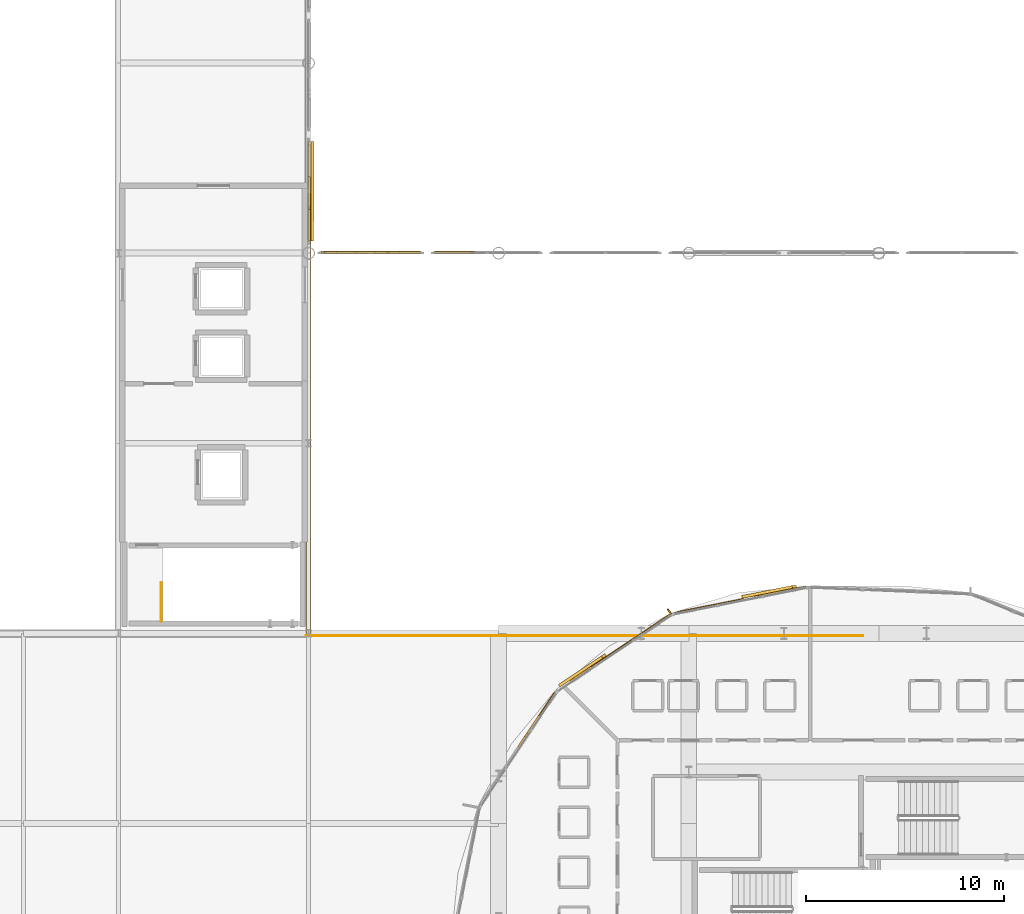
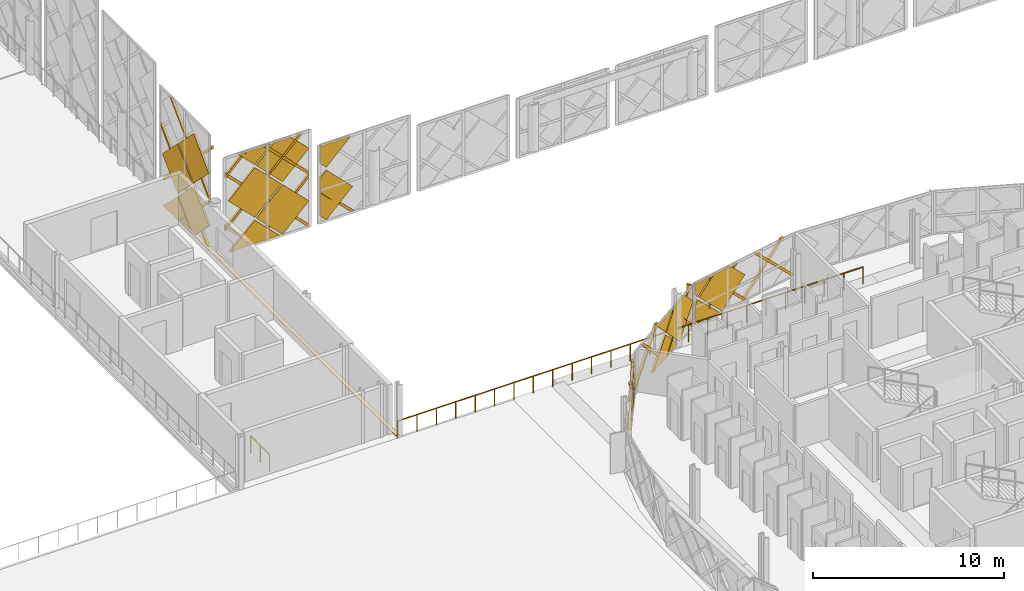
# One storey, part 45 of 53: 40 coverings, 2 railings, 1 shading device.
"""IFC4 building model written with IfcOpenShell, lengths in metres."""

from ifc_helpers import new_model, si_unit, direction, frame, origin, origin_2d, place, context, subcontext, project, spatial, polyline, rectangle, circle, outline, extrude, material, layer, layer_set, type_object, element, save


model = new_model("IFC4")

# Units and contexts
model_context = context("Model", 3, precision=1e-05, world=origin(), true_north=direction((0.0, 1.0)))
body_context = subcontext(model_context, "Body", "Model", "MODEL_VIEW")
ifc_project = project(units=[si_unit("LENGTHUNIT", "METRE"), si_unit("AREAUNIT", "SQUARE_METRE"), si_unit("VOLUMEUNIT", "CUBIC_METRE"), si_unit("PLANEANGLEUNIT", "RADIAN"), si_unit("MASSUNIT", "GRAM", prefix="KILO")], contexts=[model_context])

# Site, building, storey
site_placement = place(None, origin())
site = spatial("IfcSite", under=ifc_project, at=site_placement, CompositionType="ELEMENT")
building_placement = place(site_placement, origin())
building = spatial("IfcBuilding", under=site, at=building_placement, Name="Zevrakil Square Congress Hotel", CompositionType="ELEMENT")
storey_placement = place(building_placement, frame((0.0, 0.0, 14.699951171875)))
storey = spatial("IfcBuildingStorey", under=building, at=storey_placement, Name="L04", CompositionType="ELEMENT", Elevation=14.699951171875)

# Coverings
ifc_material_1 = material(Name="Architectural White Fibre-C GRC", Category="concrete")
ifc_layer_1 = layer(ifc_material_1, 0.06494140625)
ifc_layer_set_1 = layer_set([ifc_layer_1], Name="Architectural White Fibre-C GRC")
covering_type_1 = type_object("IfcCoveringType", Name="COV-DIA-WHITE", PredefinedType="CLADDING", material=ifc_layer_set_1)
covering_1_placement = place(storey_placement, frame((117.694091796875, 68.679931640625, 1.330078125), z_axis=(0.999999790873, 0.0, 0.000646725815), x_axis=(0.000457304257, 0.707106707249, -0.707106707249)))
element("IfcCovering", 1, at=covering_1_placement, inside=storey, type_object=covering_type_1, Name="L04 45-degree white GRC diamond facade cassette 1165", PredefinedType="CLADDING", context=body_context, shape_type="SweptSolid", body=[
    extrude(outline(polyline([(0.0, 0.0), (2.1354765131557993, 0.0), (4.465861884739297e-07, -2.1354765131557527), (0.0, 0.0)])), origin(), (0.0, 0.0, -1.0), 0.1201171875),
])
covering_2_placement = place(storey_placement, frame((117.693115234375, 67.0, 3.010009765625), z_axis=(0.999999856477, 2.18091e-07, 0.000535767289), x_axis=(0.000378661405, 0.70716100192, -0.707052454899)))
element("IfcCovering", 2, at=covering_2_placement, inside=storey, type_object=covering_type_1, Name="L04 45-degree white GRC diamond facade cassette 1166", PredefinedType="CLADDING", context=body_context, shape_type="SweptSolid", body=[
    extrude(outline(polyline([(0.0, 0.0), (2.2485514420054766, 2.220446049250313e-16), (2.2483791200414514, -2.248723969768042), (0.013811095500841475, -2.2485525000985067), (-0.00017114298715226184, -2.234568117059487), (0.0, 0.0)])), origin(), (0.0, 0.0, -1.0), 0.1201171875),
])
covering_3_placement = place(storey_placement, frame((117.69189453125, 68.679931640625, 4.68994140625), z_axis=(0.999999811377, 0.0, 0.000614203339), x_axis=(0.000434274062, 0.707160967493, -0.707052457361)))
element("IfcCovering", 3, at=covering_3_placement, inside=storey, type_object=covering_type_1, Name="L04 45-degree white GRC diamond facade cassette 1167", PredefinedType="CLADDING", context=body_context, shape_type="SweptSolid", body=[
    extrude(outline(polyline([(0.0, 0.0), (2.248551551510707, 2.220446049250313e-16), (2.248379328934688, -2.248723959707921), (-0.00017198403640539262, -2.2483789048388836), (0.0, 0.0)])), origin(), (0.0, 0.0, -1.0), 0.1201171875),
])
covering_4_placement = place(storey_placement, frame((117.69091796875, 67.0, 6.3701171875), z_axis=(0.999999812584, 0.0, 0.000612235231), x_axis=(0.000432915724, 0.707106714509, -0.707106715341)))
element("IfcCovering", 4, at=covering_4_placement, inside=storey, type_object=covering_type_1, Name="L04 45-degree white GRC diamond facade cassette 1168", PredefinedType="CLADDING", context=body_context, shape_type="SweptSolid", body=[
    extrude(outline(polyline([(0.0, 0.0), (2.2487240723329105, -2.220446049250313e-16), (2.2487244964245092, -2.248724072332871), (0.014156369068123897, -2.2487240696714954), (4.240832742752332e-07, -2.2345681273563454), (0.0, 0.0)])), origin(), (0.0, 0.0, -1.0), 0.1201171875),
])
covering_5_placement = place(storey_placement, frame((119.989990234375, 64.89404296875, 1.330078125), z_axis=(0.0, 0.999999790873, 0.000646725815), x_axis=(-0.707106707249, 0.000457304257, -0.707106707249)))
element("IfcCovering", 5, at=covering_5_placement, inside=storey, type_object=covering_type_1, Name="L04 45-degree white GRC diamond facade cassette 1379", PredefinedType="CLADDING", context=body_context, shape_type="SweptSolid", body=[
    extrude(outline(polyline([(0.0, 0.0), (2.1354765131557993, 0.0), (4.465861884739297e-07, -2.1354765131557527), (0.0, 0.0)])), origin(), (0.0, 0.0, -1.0), 0.1201171875),
])
covering_6_placement = place(storey_placement, frame((121.669921875, 64.89306640625, 3.010009765625), z_axis=(2.3579e-08, 0.999999812541, 0.0006123053), x_axis=(-0.707106714489, 0.000432981944, -0.707106715321)))
element("IfcCovering", 6, at=covering_6_placement, inside=storey, type_object=covering_type_1, Name="L04 45-degree white GRC diamond facade cassette 1380", PredefinedType="CLADDING", context=body_context, shape_type="SweptSolid", body=[
    extrude(outline(polyline([(0.0, 0.0), (2.248378805382471, -2.220446049250313e-16), (2.248551863014511, -2.248551438825186), (0.01398373565752209, -2.2485514362281265), (4.241484949929486e-07, -2.2345681273566456), (0.0, 0.0)])), origin(), (0.0, 0.0, -1.0), 0.1201171875),
])
covering_7_placement = place(storey_placement, frame((119.989990234375, 64.89208984375, 4.68994140625), z_axis=(0.0, 0.999999855586, 0.000537427945), x_axis=(-0.707161001881, 0.000379989803, -0.707052454226)))
element("IfcCovering", 7, at=covering_7_placement, inside=storey, type_object=covering_type_1, Name="L04 45-degree white GRC diamond facade cassette 1381", PredefinedType="CLADDING", context=body_context, shape_type="SweptSolid", body=[
    extrude(outline(polyline([(0.0, 0.0), (2.2485514421697053, 2.220446049250313e-16), (2.2483791201710894, -2.248723969644624), (-0.0003448494557509729, -2.2485514157257587), (0.0, 0.0)])), origin(), (0.0, 0.0, -1.0), 0.1201171875),
])
covering_8_placement = place(storey_placement, frame((120.080078125, 64.89208984375, 4.780029296875), z_axis=(0.0, 0.999999842103, 0.000561955119), x_axis=(0.70705245498, 0.000397392802, -0.707160991561)))
element("IfcCovering", 8, at=covering_8_placement, inside=storey, type_object=covering_type_1, Name="L04 45-degree white GRC diamond facade cassette 1382", PredefinedType="CLADDING", context=body_context, shape_type="SweptSolid", body=[
    extrude(outline(polyline([(0.0, 0.0), (2.248551346935006, -2.220446049250313e-16), (2.2483795595996554, -2.234568022002061), (2.234222528030325, -2.2487228784849247), (0.7209171744248163, -2.2486067889930266), (-0.0002901392735069619, -1.5272886519692042), (0.0, 0.0)])), origin(), (0.0, 0.0, -1.0), 0.1201171875),
])
covering_9_placement = place(storey_placement, frame((119.989990234375, 64.891845703125, 4.8701171875), z_axis=(0.0, 0.999999878368, 0.000493218189), x_axis=(0.707106738183, -0.000348757947, 0.707106738183)))
element("IfcCovering", 9, at=covering_9_placement, inside=storey, type_object=covering_type_1, Name="L04 45-degree white GRC diamond facade cassette 1383", PredefinedType="CLADDING", context=body_context, shape_type="SweptSolid", body=[
    extrude(outline(polyline([(0.0, 0.0), (1.40005770121603, 0.0), (1.7029196641704658e-07, -1.4000577012160196), (0.0, 0.0)])), origin(), (0.0, 0.0, -1.0), 0.1201171875),
])
covering_10_placement = place(storey_placement, frame((124.31005859375, 64.89501953125, -0.169921875), z_axis=(-3.3643e-08, 0.999999812817, 0.000611854538), x_axis=(0.707052423992, -0.000432655961, 0.707161001849)))
element("IfcCovering", 10, at=covering_10_placement, inside=storey, type_object=covering_type_1, Name="L04 45-degree white GRC diamond facade cassette 1391", PredefinedType="CLADDING", context=body_context, shape_type="SweptSolid", body=[
    extrude(outline(polyline([(0.0, 0.0), (2.2485514454837037, -2.220446049250313e-16), (2.248724489826509, -2.2483787987223134), (1.7396282801660223, -2.2485905083050195), (-0.00013344140794085968, -0.5090962361932889), (0.0, 0.0)])), origin(), (0.0, 0.0, -1.0), 0.1201171875),
])
covering_11_placement = place(storey_placement, frame((124.31005859375, 64.892822265625, 3.18994140625), z_axis=(-3.0801726e-05, 0.999999879167, 0.000490628876), x_axis=(0.707048019129, -0.000325177536, 0.707165463597)))
element("IfcCovering", 11, at=covering_11_placement, inside=storey, type_object=covering_type_1, Name="L04 45-degree white GRC diamond facade cassette 1393", PredefinedType="CLADDING", context=body_context, shape_type="SweptSolid", body=[
    extrude(outline(polyline([(0.0, 0.0), (2.0790252735580004, 2.220446049250313e-16), (0.7850721604250763, -1.29416818128078), (4.2372013736691194e-05, -0.5092688535642522), (0.0, 0.0)])), origin(), (0.0, 0.0, -1.0), 0.1201171875),
])
covering_12_placement = place(storey_placement, frame((136.23583984375, 46.69140625, 1.590087890625), z_axis=(-0.195098091707, 0.980783569325, 0.000569871779), x_axis=(-0.693387349482, -0.137518073032, -0.707320834676)))
element("IfcCovering", 12, at=covering_12_placement, inside=storey, type_object=covering_type_1, Name="L04 45-degree white GRC diamond facade cassette 2261", PredefinedType="CLADDING", context=body_context, shape_type="SweptSolid", body=[
    extrude(outline(polyline([(0.0, 0.0), (0.2626686505642961, 0.0), (1.199384724884498, -0.9360122274198548), (0.0007295457751010925, -2.13539382428531), (0.0, 0.0)])), origin(), (0.0, 0.0, -1.0), 0.1201171875),
])
covering_13_placement = place(storey_placement, frame((136.323974609375, 46.708740234375, 1.679931640625), z_axis=(-0.19507172591, 0.980788786184, 0.000615342539), x_axis=(0.693491653987, 0.138374025766, -0.707051592773)))
element("IfcCovering", 13, at=covering_13_placement, inside=storey, type_object=covering_type_1, Name="L04 45-degree white GRC diamond facade cassette 2262", PredefinedType="CLADDING", context=body_context, shape_type="SweptSolid", body=[
    extrude(outline(polyline([(0.0, 0.0), (2.2485542111836683, -2.220446049250313e-16), (2.248939885452934, -2.248589737461189), (0.848659570358095, -2.2488214640597923), (2.090957119382786e-05, -1.4003149647961224), (0.0, 0.0)])), origin(), (0.0, 0.0, -1.0), 0.1201171875),
])
covering_14_placement = place(storey_placement, frame((136.23583984375, 46.691162109375, 1.77001953125), z_axis=(-0.195169620705, 0.980769269263, 0.000677955685), x_axis=(0.69354573257, 0.137524324755, 0.707164321027)))
element("IfcCovering", 14, at=covering_14_placement, inside=storey, type_object=covering_type_1, Name="L04 45-degree white GRC diamond facade cassette 2263", PredefinedType="CLADDING", context=body_context, shape_type="SweptSolid", body=[
    extrude(outline(polyline([(0.0, 0.0), (1.272895791370051, 0.0), (0.5051668852764784, -0.7678542149067611), (6.733579488504837e-05, -0.2627023375116221), (0.0, 0.0)])), origin(), (0.0, 0.0, -1.0), 0.1201171875),
])
covering_15_placement = place(storey_placement, frame((133.1279296875, 44.7548828125, 1.590087890625), z_axis=(-0.55561388907, 0.831440251576, 0.000560652442), x_axis=(-0.588172468812, -0.392572256151, -0.707064474169)))
element("IfcCovering", 15, at=covering_15_placement, inside=storey, type_object=covering_type_1, Name="L04 45-degree white GRC diamond facade cassette 2268", PredefinedType="CLADDING", context=body_context, shape_type="SweptSolid", body=[
    extrude(outline(polyline([(0.0, 0.0), (2.135604065526496, 2.220446049250313e-16), (-1.6773891793997464e-05, -2.1353659801476814), (0.0, 0.0)])), origin(), (0.0, 0.0, -1.0), 0.1201171875),
])
covering_16_placement = place(storey_placement, frame((133.202880859375, 44.8046875, 1.679931640625), z_axis=(-0.555621592831, 0.831435086159, 0.000585732488), x_axis=(0.587729396873, 0.393258947104, -0.707051311133)))
element("IfcCovering", 16, at=covering_16_placement, inside=storey, type_object=covering_type_1, Name="L04 45-degree white GRC diamond facade cassette 2269", PredefinedType="CLADDING", context=body_context, shape_type="SweptSolid", body=[
    extrude(outline(polyline([(0.0, 0.0), (2.248554997504394, -2.220446049250313e-16), (2.248484115257397, -2.2343225528088126), (2.2345018993878316, -2.2483069576792483), (0.8344677050950714, -2.248440210225104), (0.000142268178878191, -1.4142453545228149), (0.0, 0.0)])), origin(), (0.0, 0.0, -1.0), 0.1201171875),
])
covering_17_placement = place(storey_placement, frame((133.1279296875, 44.754638671875, 1.77001953125), z_axis=(-0.55556645703, 0.831471865555, 0.000669786267), x_axis=(0.588270538396, 0.392496531423, 0.707024926347)))
element("IfcCovering", 17, at=covering_17_placement, inside=storey, type_object=covering_type_1, Name="L04 45-degree white GRC diamond facade cassette 2270", PredefinedType="CLADDING", context=body_context, shape_type="SweptSolid", body=[
    extrude(outline(polyline([(0.0, 0.0), (1.2869590243105506, -1.1102230246251565e-16), (-0.00025037526725335546, -1.2869120132092717), (0.0, 0.0)])), origin(), (0.0, 0.0, -1.0), 0.1201171875),
])
covering_18_placement = place(storey_placement, frame((129.23095703125, 41.4482421875, 0.080078125), z_axis=(-0.831436961663, 0.555618744269, 0.000624337381), x_axis=(0.555618852558, 0.831437123709, 0.0)))
element("IfcCovering", 18, at=covering_18_placement, inside=storey, type_object=covering_type_1, Name="L04 45-degree white GRC diamond facade cassette 2275", PredefinedType="CLADDING", context=body_context, shape_type="SweptSolid", body=[
    extrude(outline(polyline([(0.0, 0.0), (1.4100444252712594, 5.421010862427522e-20), (1.410045397514974, -1.409912384164952), (0.0, 0.0)])), origin(), (0.0, 0.0, -1.0), 0.1201171875),
])
ifc_material_2 = material(Name="Anodised Champagne Aluminium", Category="aluminium")
ifc_layer_2 = layer(ifc_material_2, 0.0849609375)
ifc_layer_set_2 = layer_set([ifc_layer_2], Name="Anodised Champagne Aluminium")
covering_type_2 = type_object("IfcCoveringType", Name="COV-DIAGRID-45", PredefinedType="MOLDING", material=ifc_layer_set_2)
covering_19_placement = place(storey_placement, frame((117.718017578125, 65.419921875, 3.093994140625), z_axis=(0.999999907608, 0.000303960579, 0.000303960579), x_axis=(-0.000303960565, -9.2392e-08, 0.999999953804)))
element("IfcCovering", 19, at=covering_19_placement, inside=storey, type_object=covering_type_2, Name="L04 45-degree aluminium diagrid rib 1170", PredefinedType="MOLDING", context=body_context, shape_type="SweptSolid", body=[
    extrude(outline(polyline([(0.0, 0.0), (0.2121581933241359, 0.0), (4.1220705029232425, -3.9099126708439047), (4.122070483321514, -4.12207086416804), (0.0, 0.0)])), origin(), (0.0, 0.0, -1.0), 0.14501953125),
])
covering_20_placement = place(storey_placement, frame((117.719970703125, 65.506103515625, -0.179931640625), z_axis=(0.999999753919, -8.7267435e-05, 0.000696093713), x_axis=(-8.7267414e-05, -0.999999996192, -6.0746e-08)))
element("IfcCovering", 20, at=covering_20_placement, inside=storey, type_object=covering_type_2, Name="L04 45-degree aluminium diagrid rib 1171", PredefinedType="MOLDING", context=body_context, shape_type="SweptSolid", body=[
    extrude(outline(polyline([(0.0, 0.0), (0.08618164029683732, 0.0), (0.0861816326442256, -0.1259765319792475), (-4.943847673661377, -5.156006819494465), (-4.94384768207907, -4.943848497824969), (0.0, 0.0)])), origin(), (0.0, 0.0, -1.0), 0.14501953125),
])
covering_21_placement = place(storey_placement, frame((117.718017578125, 65.419921875, 2.89404296875), z_axis=(0.999999905696, -0.00030708991, 0.00030708991), x_axis=(-0.000307089896, 9.4304e-08, 0.999999952848)))
element("IfcCovering", 21, at=covering_21_placement, inside=storey, type_object=covering_type_2, Name="L04 45-degree aluminium diagrid rib 1173", PredefinedType="MOLDING", context=body_context, shape_type="SweptSolid", body=[
    extrude(outline(polyline([(0.0, 0.0), (0.2121581931212936, 0.0), (-3.0739747543193885, -3.2861332573369064), (-3.073974774326802, -3.0739750642156136), (0.0, 0.0)])), origin(), (0.0, 0.0, -1.0), 0.14501953125),
])
covering_22_placement = place(storey_placement, frame((117.716064453125, 65.419921875, 6.25390625), z_axis=(-0.999999830382, 0.000582439352, 0.0), x_axis=(0.0, 0.0, 1.0)))
element("IfcCovering", 22, at=covering_22_placement, inside=storey, type_object=covering_type_2, Name="L04 45-degree aluminium diagrid rib 1174", PredefinedType="MOLDING", context=body_context, shape_type="SweptSolid", body=[
    extrude(outline(polyline([(0.0, 0.0), (0.212158203125, 0.0), (-4.81787109375, 5.0300301500577165), (-5.030029296875, 5.0300301500577165), (0.0, 0.0)])), origin(), (0.0, 0.0, -1.0), 0.14501953125),
])
covering_23_placement = place(storey_placement, frame((123.25, 64.91796875, 3.093994140625), z_axis=(-0.000321233504, 0.999999896809, 0.000321233504), x_axis=(1.03191e-07, -0.000321233487, 0.999999948405)))
element("IfcCovering", 23, at=covering_23_placement, inside=storey, type_object=covering_type_2, Name="L04 45-degree aluminium diagrid rib 1384", PredefinedType="MOLDING", context=body_context, shape_type="SweptSolid", body=[
    extrude(outline(polyline([(0.0, 0.0), (0.21215819217859497, 2.8078904387053947e-24), (2.7661134239689584, -2.553955495335506), (2.766113402076148, -2.7661136875141), (0.0, 0.0)])), origin(), (0.0, 0.0, -1.0), 0.14501953125),
])
covering_24_placement = place(storey_placement, frame((123.163818359375, 64.919921875, -0.179931640625), z_axis=(-0.000465762673, 0.999999884486, 0.000118710631), x_axis=(0.999999891533, 0.000465762669, 5.5291e-08)))
element("IfcCovering", 24, at=covering_24_placement, inside=storey, type_object=covering_type_2, Name="L04 45-degree aluminium diagrid rib 1385", PredefinedType="MOLDING", context=body_context, shape_type="SweptSolid", body=[
    extrude(outline(polyline([(0.0, 0.0), (0.0861816312770981, -5.703022582640992e-25), (0.08618163824246652, -0.12597656161235546), (-4.9438481994619226, -5.156006170830311), (-4.943848211192359, -4.943847969200201), (0.0, 0.0)])), origin(), (0.0, 0.0, -1.0), 0.14501953125),
])
covering_25_placement = place(storey_placement, frame((119.803955078125, 64.919921875, -0.179931640625), z_axis=(-0.000288912941, 0.999999916529, 0.000288912941), x_axis=(0.999999958265, 0.000288912929, 8.3471e-08)))
element("IfcCovering", 25, at=covering_25_placement, inside=storey, type_object=covering_type_2, Name="L04 45-degree aluminium diagrid rib 1386", PredefinedType="MOLDING", context=body_context, shape_type="SweptSolid", body=[
    extrude(outline(polyline([(0.0, 0.0), (0.21215819427050428, 0.0), (-1.5839844411081363, -1.7961427853039198), (-1.5839844588171281, -1.5839845910334163), (0.0, 0.0)])), origin(), (0.0, 0.0, -1.0), 0.14501953125),
])
covering_26_placement = place(storey_placement, frame((123.25, 64.918212890625, 2.89404296875), z_axis=(-0.000287477056, 0.99999958606, 0.000863270454), x_axis=(-8.2643e-08, -0.000863270513, 0.999999627382)))
element("IfcCovering", 26, at=covering_26_placement, inside=storey, type_object=covering_type_2, Name="L04 45-degree aluminium diagrid rib 1387", PredefinedType="MOLDING", context=body_context, shape_type="SweptSolid", body=[
    extrude(outline(polyline([(0.0, 0.0), (0.21215833483042407, 1.3234889800848443e-23), (-3.0739746676964605, -3.286133202330571), (-3.073974685229852, -3.0739750079722734), (0.0, 0.0)])), origin(), (0.0, 0.0, -1.0), 0.14501953125),
])
covering_27_placement = place(storey_placement, frame((122.856201171875, 64.916259765625, 5.860107421875), z_axis=(-0.000265343616, 0.999999573097, 0.000885098536), x_axis=(-0.999999964796, -0.000265343512, -2.34855e-07)))
element("IfcCovering", 27, at=covering_27_placement, inside=storey, type_object=covering_type_2, Name="L04 45-degree aluminium diagrid rib 1388", PredefinedType="MOLDING", context=body_context, shape_type="SweptSolid", body=[
    extrude(outline(polyline([(0.0, 0.0), (0.21240233627266908, 5.62224322594636e-24), (4.636230631962091, -4.424072909690409), (4.6362306170074294, -4.636231245801598), (0.0, 0.0)])), origin(), (0.0, 0.0, -1.0), 0.14501953125),
])
covering_28_placement = place(storey_placement, frame((119.49609375, 64.916259765625, 5.860107421875), z_axis=(0.000312989015, 0.999999902038, 0.000312989015), x_axis=(-0.999999951019, 0.000312988999, 9.7962e-08)))
element("IfcCovering", 28, at=covering_28_placement, inside=storey, type_object=covering_type_2, Name="L04 45-degree aluminium diagrid rib 1389", PredefinedType="MOLDING", context=body_context, shape_type="SweptSolid", body=[
    extrude(outline(polyline([(0.0, 0.0), (0.21215819273326572, 2.8078904387053947e-24), (1.2761231093808665, -1.0639650208758784), (1.2761230885973973, -1.276123213609143), (0.0, 0.0)])), origin(), (0.0, 0.0, -1.0), 0.14501953125),
])
covering_29_placement = place(storey_placement, frame((125.803955078125, 64.919921875, -0.179931640625), z_axis=(-0.0003115794, 0.99999990303, 0.000311221263), x_axis=(0.999999951459, 0.000311579385, 9.697e-08)))
element("IfcCovering", 29, at=covering_29_placement, inside=storey, type_object=covering_type_2, Name="L04 45-degree aluminium diagrid rib 1396", PredefinedType="MOLDING", context=body_context, shape_type="SweptSolid", body=[
    extrude(outline(polyline([(0.0, 0.0), (0.21215819282665782, 0.0), (-1.854003996244953, -2.0661623892209127), (-1.8540040168416378, -1.853760055757419), (0.0, 0.0)])), origin(), (0.0, 0.0, -1.0), 0.14501953125),
])
covering_30_placement = place(storey_placement, frame((142.63916015625, 47.9912109375, 0.080078125), z_axis=(-0.195209155861, 0.980761533768, 0.000446486079), x_axis=(0.980761631489, 0.195209175499, -4.12926e-07)))
element("IfcCovering", 30, at=covering_30_placement, inside=storey, type_object=covering_type_2, Name="L04 45-degree aluminium diagrid rib 2264", PredefinedType="MOLDING", context=body_context, shape_type="SweptSolid", body=[
    extrude(outline(polyline([(0.0, 0.0), (0.08589653221999811, 8.470329472543003e-22), (0.08589648020095338, -0.12597654994328616), (-2.3780049251023514, -2.5900871621480395), (-2.5900652914812334, -2.590087012503964), (0.0, 0.0)])), origin(), (0.0, 0.0, -1.0), 0.14501953125),
])
covering_31_placement = place(storey_placement, frame((139.34375, 47.3359375, 0.080078125), z_axis=(-0.195119819836, 0.98077927139, 0.000526041304), x_axis=(0.98077940712, 0.19511984668, 2.9699e-07)))
element("IfcCovering", 31, at=covering_31_placement, inside=storey, type_object=covering_type_2, Name="L04 45-degree aluminium diagrid rib 2265", PredefinedType="MOLDING", context=body_context, shape_type="SweptSolid", body=[
    extrude(outline(polyline([(0.0, 0.0), (0.21206037816296852, 3.3881317890172014e-21), (-2.3780029721241993, -2.5900889552319533), (-2.590110986968486, -2.59008908120569), (0.0, 0.0)])), origin(), (0.0, 0.0, -1.0), 0.14501953125),
])
covering_32_placement = place(storey_placement, frame((142.249267578125, 47.912109375, 2.670166015625), z_axis=(0.194456293278, -0.980911183545, 9.7612e-07), x_axis=(-0.980911183546, -0.194456293278, 1.09e-10)))
element("IfcCovering", 32, at=covering_32_placement, inside=storey, type_object=covering_type_2, Name="L04 45-degree aluminium diagrid rib 2266", PredefinedType="MOLDING", context=body_context, shape_type="SweptSolid", body=[
    extrude(outline(polyline([(0.0, 0.0), (0.21229989090045664, 6.617444900424222e-24), (2.8022718410588636, 2.590087890932075), (2.5902114304278268, 2.59008789088576), (0.0, 0.0)])), origin(), (0.0, 0.0, -1.0), 0.14501953125),
])
covering_33_placement = place(storey_placement, frame((138.95361328125, 47.256591796875, 2.670166015625), z_axis=(-0.194566091002, 0.980889405525, 0.000101790873), x_axis=(-0.980889410606, -0.19456609201, 0.0)))
element("IfcCovering", 33, at=covering_33_placement, inside=storey, type_object=covering_type_2, Name="L04 45-degree aluminium diagrid rib 2267", PredefinedType="MOLDING", context=body_context, shape_type="SweptSolid", body=[
    extrude(outline(polyline([(0.0, 0.0), (0.21206041195957603, 0.0), (2.802032349114804, -2.590087904043445), (2.5899719371552274, -2.590087904043445), (0.0, 0.0)])), origin(), (0.0, 0.0, -1.0), 0.14501953125),
])
covering_34_placement = place(storey_placement, frame((135.752685546875, 46.539794921875, 0.080078125), z_axis=(-0.554963342045, 0.831873787219, 0.001300432246), x_axis=(0.831874491657, 0.554963809747, 1.436823e-06)))
element("IfcCovering", 34, at=covering_34_placement, inside=storey, type_object=covering_type_2, Name="L04 45-degree aluminium diagrid rib 2271", PredefinedType="MOLDING", context=body_context, shape_type="SweptSolid", body=[
    extrude(outline(polyline([(0.0, 0.0), (0.08592704320216486, -6.776263578034403e-21), (0.08592722420813634, -0.12597645597882906), (-2.388011613031462, -2.5998592238861726), (-2.6001546339703836, -2.5998594412839044), (0.0, 0.0)])), origin(), (0.0, 0.0, -1.0), 0.14501953125),
])
covering_35_placement = place(storey_placement, frame((132.958740234375, 44.6728515625, 0.080078125), z_axis=(-0.555496022293, 0.831518890512, 0.000709886027), x_axis=(0.83151910003, 0.55549616226, 0.0)))
element("IfcCovering", 35, at=covering_35_placement, inside=storey, type_object=covering_type_2, Name="L04 45-degree aluminium diagrid rib 2272", PredefinedType="MOLDING", context=body_context, shape_type="SweptSolid", body=[
    extrude(outline(polyline([(0.0, 0.0), (0.21227855363602155, 1.3552527156068805e-20), (-2.38767843544301, -2.599854170707961), (-2.5999569890790317, -2.599854170707961), (0.0, 0.0)])), origin(), (0.0, 0.0, -1.0), 0.14501953125),
])
covering_36_placement = place(storey_placement, frame((135.430908203125, 46.322998046875, 2.679931640625), z_axis=(-0.555496109436, 0.831519020957, 0.000436105314), x_axis=(-0.83151910003, -0.55549616226, 0.0)))
element("IfcCovering", 36, at=covering_36_placement, inside=storey, type_object=covering_type_2, Name="L04 45-degree aluminium diagrid rib 2273", PredefinedType="MOLDING", context=body_context, shape_type="SweptSolid", body=[
    extrude(outline(polyline([(0.0, 0.0), (0.21227855363602155, 6.776263578034403e-21), (2.812300404062124, -2.599853762855304), (2.600021850426103, -2.599853762855304), (0.0, 0.0)])), origin(), (0.0, 0.0, -1.0), 0.14501953125),
])
covering_37_placement = place(storey_placement, frame((132.63720703125, 44.4560546875, 2.679931640625), z_axis=(0.55509836986, -0.831784707583, 3.187028e-06), x_axis=(-0.831784707587, -0.555098369863, 1.525e-09)))
element("IfcCovering", 37, at=covering_37_placement, inside=storey, type_object=covering_type_2, Name="L04 45-degree aluminium diagrid rib 2274", PredefinedType="MOLDING", context=body_context, shape_type="SweptSolid", body=[
    extrude(outline(polyline([(0.0, 0.0), (0.21214300728986854, 5.293955920339377e-23), (2.8121650986451234, 2.5998535199278243), (2.5998865692923, 2.59985351928042), (0.0, 0.0)])), origin(), (0.0, 0.0, -1.0), 0.14501953125),
])
covering_38_placement = place(storey_placement, frame((129.94580078125, 42.56298828125, 0.080078125), z_axis=(-0.831616430038, 0.555350351559, 0.000316723202), x_axis=(0.55535037948, 0.831616471705, 2.50825e-07)))
element("IfcCovering", 38, at=covering_38_placement, inside=storey, type_object=covering_type_2, Name="L04 45-degree aluminium diagrid rib 2279", PredefinedType="MOLDING", context=body_context, shape_type="SweptSolid", body=[
    extrude(outline(polyline([(0.0, 0.0), (0.08606257338566772, 3.3881317890172014e-21), (0.08606260498368798, -0.12597655618141546), (-2.387945838124775, -2.599854253647279), (-2.599885773544817, -2.599854316382537), (0.0, 0.0)])), origin(), (0.0, 0.0, -1.0), 0.14501953125),
])
covering_39_placement = place(storey_placement, frame((129.731689453125, 42.23974609375, 2.679931640625), z_axis=(-0.831341471615, 0.555761841924, 0.00036418923), x_axis=(-0.555761878745, -0.831341526771, 1.16391e-07)))
element("IfcCovering", 39, at=covering_39_placement, inside=storey, type_object=covering_type_2, Name="L04 45-degree aluminium diagrid rib 2281", PredefinedType="MOLDING", context=body_context, shape_type="SweptSolid", body=[
    extrude(outline(polyline([(0.0, 0.0), (0.21227854279521838, -6.776263578034403e-21), (2.8122356863324507, -2.5998540153584893), (2.600160107777167, -2.5998539659674416), (0.0, 0.0)])), origin(), (0.0, 0.0, -1.0), 0.14501953125),
])
ifc_material_3 = material(Name="Honed Addis Basalt Stone Flooring", Category="masonry")
ifc_layer_3 = layer(ifc_material_3, 0.030029296875)
ifc_layer_set_3 = layer_set([ifc_layer_3], Name="Honed Addis Basalt Stone Flooring")
covering_type_3 = type_object("IfcCoveringType", Name="COV-FLOR-BASALT-030", PredefinedType="FLOORING", material=ifc_layer_set_3)
covering_40_placement = place(storey_placement, origin())
element("IfcCovering", 40, at=covering_40_placement, inside=storey, type_object=covering_type_3, Name="L04 flush movement-joint floor cover plate 12", PredefinedType="FLOORING", context=body_context, shape_type="SweptSolid", body=[
    extrude(outline(polyline([(117.47998046875, 45.60009765625), (117.719970703125, 45.60009765625), (117.719970703125, 68.0), (117.47998046875, 68.0), (117.47998046875, 45.60009765625)])), origin(), (0.0, 0.0, 1.0), 0.030029296875),
])

# Railings
ifc_material_4 = material(Name="Steel S355", Category="steel")
railing_type_1 = type_object("IfcRailingType", Name="RLG-STAIR-GUARD-1100", PredefinedType="BALUSTRADE", material=ifc_material_4)
railing_1_placement = place(storey_placement, frame((110.14990234375, 46.199951171875, 0.0)))
element("IfcRailing", 41, at=railing_1_placement, inside=storey, type_object=railing_type_1, Name="L04 ST07 top well guard 1", PredefinedType="BALUSTRADE", context=body_context, shape_type="SweptSolid", body=[
    extrude(circle(Radius=0.02392578125, at=origin_2d()), frame((0.0, 0.0, 1.076171875), z_axis=(0.0, 1.0, 0.0), x_axis=(-1.0, 0.0, 0.0)), (0.0, 0.0, 1.0), 1.949951171875),
    extrude(circle(Radius=0.02099609375, at=origin_2d()), origin(), (0.0, 0.0, 1.0), 1.052001953125),
    extrude(circle(Radius=0.02099609375, at=origin_2d()), frame((0.0, 0.97509765625, 0.0)), (0.0, 0.0, 1.0), 1.052001953125),
    extrude(circle(Radius=0.02099609375, at=origin_2d()), frame((0.0, 1.949951171875, 0.0)), (0.0, 0.0, 1.0), 1.052001953125),
])
ifc_material_5 = material(Name="Steel S355", Category="steel")
railing_type_2 = type_object("IfcRailingType", Name="RLG-TERR-1100", PredefinedType="BALUSTRADE", material=ifc_material_5)
railing_2_placement = place(storey_placement, frame((117.47998046875, 45.47998046875, 0.0)))
element("IfcRailing", 42, at=railing_2_placement, inside=storey, type_object=railing_type_2, Name="L04 terrace and void safety balustrade guard 35", PredefinedType="BALUSTRADE", context=body_context, shape_type="SweptSolid", body=[
    extrude(circle(Radius=0.02392578125, at=origin_2d()), frame((0.0, 0.0, 1.076171875), z_axis=(1.0, 0.0, 0.0), x_axis=(0.0, 1.0, 0.0)), (0.0, 0.0, 1.0), 28.1201171875),
    extrude(circle(Radius=0.02099609375, at=origin_2d()), origin(), (0.0, 0.0, 1.0), 1.052001953125),
    extrude(circle(Radius=0.02099609375, at=origin_2d()), frame((1.171630859375, 0.0, 0.0)), (0.0, 0.0, 1.0), 1.052001953125),
    extrude(circle(Radius=0.02099609375, at=origin_2d()), frame((2.34326171875, 0.0, 0.0)), (0.0, 0.0, 1.0), 1.052001953125),
    extrude(circle(Radius=0.02099609375, at=origin_2d()), frame((3.51513671875, 0.0, 0.0)), (0.0, 0.0, 1.0), 1.052001953125),
    extrude(circle(Radius=0.02099609375, at=origin_2d()), frame((4.686767578125, 0.0, 0.0)), (0.0, 0.0, 1.0), 1.052001953125),
    extrude(circle(Radius=0.02099609375, at=origin_2d()), frame((5.8583984375, 0.0, 0.0)), (0.0, 0.0, 1.0), 1.052001953125),
    extrude(circle(Radius=0.02099609375, at=origin_2d()), frame((7.030029296875, 0.0, 0.0)), (0.0, 0.0, 1.0), 1.052001953125),
    extrude(circle(Radius=0.02099609375, at=origin_2d()), frame((8.20166015625, 0.0, 0.0)), (0.0, 0.0, 1.0), 1.052001953125),
    extrude(circle(Radius=0.02099609375, at=origin_2d()), frame((9.373291015625, 0.0, 0.0)), (0.0, 0.0, 1.0), 1.052001953125),
    extrude(circle(Radius=0.02099609375, at=origin_2d()), frame((10.544921875, 0.0, 0.0)), (0.0, 0.0, 1.0), 1.052001953125),
    extrude(circle(Radius=0.02099609375, at=origin_2d()), frame((11.716796875, 0.0, 0.0)), (0.0, 0.0, 1.0), 1.052001953125),
    extrude(circle(Radius=0.02099609375, at=origin_2d()), frame((12.888427734375, 0.0, 0.0)), (0.0, 0.0, 1.0), 1.052001953125),
    extrude(circle(Radius=0.02099609375, at=origin_2d()), frame((14.06005859375, 0.0, 0.0)), (0.0, 0.0, 1.0), 1.052001953125),
    extrude(circle(Radius=0.02099609375, at=origin_2d()), frame((15.231689453125, 0.0, 0.0)), (0.0, 0.0, 1.0), 1.052001953125),
    extrude(circle(Radius=0.02099609375, at=origin_2d()), frame((16.4033203125, 0.0, 0.0)), (0.0, 0.0, 1.0), 1.052001953125),
    extrude(circle(Radius=0.02099609375, at=origin_2d()), frame((17.5751953125, 0.0, 0.0)), (0.0, 0.0, 1.0), 1.052001953125),
    extrude(circle(Radius=0.02099609375, at=origin_2d()), frame((18.746826171875, 0.0, 0.0)), (0.0, 0.0, 1.0), 1.052001953125),
    extrude(circle(Radius=0.02099609375, at=origin_2d()), frame((19.91845703125, 0.0, 0.0)), (0.0, 0.0, 1.0), 1.052001953125),
    extrude(circle(Radius=0.02099609375, at=origin_2d()), frame((21.090087890625, 0.0, 0.0)), (0.0, 0.0, 1.0), 1.052001953125),
    extrude(circle(Radius=0.02099609375, at=origin_2d()), frame((22.26171875, 0.0, 0.0)), (0.0, 0.0, 1.0), 1.052001953125),
    extrude(circle(Radius=0.02099609375, at=origin_2d()), frame((23.433349609375, 0.0, 0.0)), (0.0, 0.0, 1.0), 1.052001953125),
    extrude(circle(Radius=0.02099609375, at=origin_2d()), frame((24.60498046875, 0.0, 0.0)), (0.0, 0.0, 1.0), 1.052001953125),
    extrude(circle(Radius=0.02099609375, at=origin_2d()), frame((25.77685546875, 0.0, 0.0)), (0.0, 0.0, 1.0), 1.052001953125),
    extrude(circle(Radius=0.02099609375, at=origin_2d()), frame((26.948486328125, 0.0, 0.0)), (0.0, 0.0, 1.0), 1.052001953125),
    extrude(circle(Radius=0.02099609375, at=origin_2d()), frame((28.1201171875, 0.0, 0.0)), (0.0, 0.0, 1.0), 1.052001953125),
])

# Shading device
ifc_material_6 = material(Name="Aluminium Anodised Bronze", Category="aluminium")
shading_device_type = type_object("IfcShadingDeviceType", Name="SHD-FIN-35", PredefinedType="JALOUSIE", material=ifc_material_6)
shading_device_placement = place(storey_placement, frame((135.832275390625, 46.68310546875, 0.10009765625), z_axis=(0.0, 0.0, 1.0), x_axis=(-0.55557023302, 0.831469612303, 0.0)))
element("IfcShadingDevice", 43, at=shading_device_placement, inside=storey, type_object=shading_device_type, Name="L04 aluminium solar shading fin 124", PredefinedType="JALOUSIE", context=body_context, shape_type="SweptSolid", body=[
    extrude(rectangle(XDim=0.35009765625, YDim=0.080078125, at=origin_2d()), origin(), (0.0, 0.0, 1.0), 2.56005859375),
])

save(model, "model.ifc")
